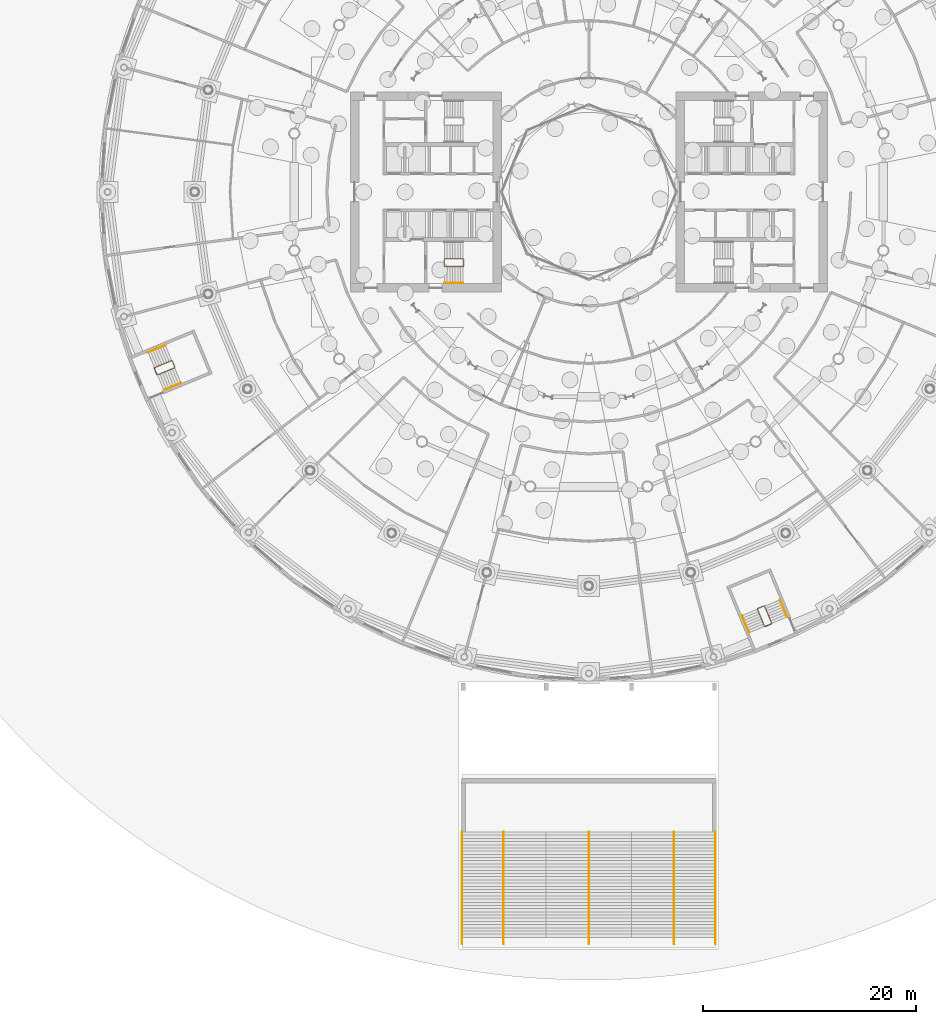
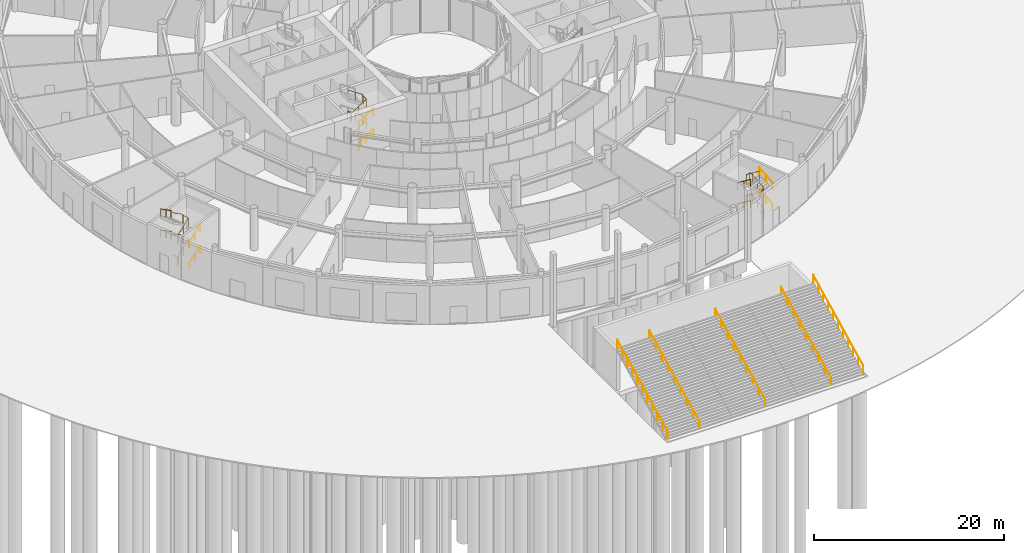
# One storey, part 38 of 41: 18 railings.
"""IFC4 building model written with IfcOpenShell, lengths in metres."""

from ifc_helpers import new_model, si_unit, direction, frame, origin, origin_2d, place, context, subcontext, project, spatial, circle, extrude, material, type_object, element, save


model = new_model("IFC4")

# Units and contexts
model_context = context("Model", 3, precision=1e-05, world=origin(), true_north=direction((0.0, 1.0)))
body_context = subcontext(model_context, "Body", "Model", "MODEL_VIEW")
ifc_project = project(units=[si_unit("LENGTHUNIT", "METRE"), si_unit("AREAUNIT", "SQUARE_METRE"), si_unit("VOLUMEUNIT", "CUBIC_METRE"), si_unit("PLANEANGLEUNIT", "RADIAN"), si_unit("MASSUNIT", "GRAM", prefix="KILO")], contexts=[model_context])

# Site, building, storey
site_placement = place(None, origin())
site = spatial("IfcSite", under=ifc_project, at=site_placement, CompositionType="ELEMENT")
building_placement = place(site_placement, origin())
building = spatial("IfcBuilding", under=site, at=building_placement, Name="Maasbend Ring Residences", CompositionType="ELEMENT")
storey_placement = place(building_placement, origin())
storey = spatial("IfcBuildingStorey", under=building, at=storey_placement, Name="L00", CompositionType="ELEMENT", Elevation=0.0)

# Railings
ifc_material_1 = material(Name="Stainless steel 316", Category="steel")
railing_type_1 = type_object("IfcRailingType", Name="RL-HAND", PredefinedType="HANDRAIL", material=ifc_material_1)
for number, where, name in (
    (1, (0.0, -70.60009765625, 0.14990234375), "Stair handrail"),
    (2, (-8.0, -70.60009765625, 0.14990234375), "Stair handrail"),
    (3, (8.0, -70.60009765625, 0.14990234375), "Stair handrail"),
):
    element("IfcRailing", number, at=place(storey_placement, frame(where)), inside=storey, type_object=railing_type_1, Name=name, PredefinedType="HANDRAIL", context=body_context, shape_type="SweptSolid", body=[
        extrude(circle(Radius=0.0224609375, at=origin_2d()), frame((0.0, 0.0, 0.87744140625), z_axis=(0.0, 0.894427191, 0.4472135955), x_axis=(-1.0, 0.0, 0.0)), (0.0, 0.0, 1.0), 11.7392578125),
        extrude(circle(Radius=0.02001953125, at=origin_2d()), origin(), (0.0, 0.0, 1.0), 0.85498046875),
        extrude(circle(Radius=0.02001953125, at=origin_2d()), frame((0.0, 1.3125, 0.65625)), (0.0, 0.0, 1.0), 0.85498046875),
        extrude(circle(Radius=0.02001953125, at=origin_2d()), frame((0.0, 2.625, 1.3125)), (0.0, 0.0, 1.0), 0.85498046875),
        extrude(circle(Radius=0.02001953125, at=origin_2d()), frame((0.0, 3.9375, 1.96875)), (0.0, 0.0, 1.0), 0.85498046875),
        extrude(circle(Radius=0.02001953125, at=origin_2d()), frame((0.0, 5.25, 2.625)), (0.0, 0.0, 1.0), 0.85498046875),
        extrude(circle(Radius=0.02001953125, at=origin_2d()), frame((0.0, 6.5625, 3.28125)), (0.0, 0.0, 1.0), 0.85498046875),
        extrude(circle(Radius=0.02001953125, at=origin_2d()), frame((0.0, 7.875, 3.9375)), (0.0, 0.0, 1.0), 0.85498046875),
        extrude(circle(Radius=0.02001953125, at=origin_2d()), frame((0.0, 9.1875, 4.59375)), (0.0, 0.0, 1.0), 0.85498046875),
        extrude(circle(Radius=0.02001953125, at=origin_2d()), frame((0.0, 10.5, 5.25)), (0.0, 0.0, 1.0), 0.85498046875),
    ])
ifc_material_2 = material(Name="Stainless steel 316 and glass", Category="steel")
railing_type_2 = type_object("IfcRailingType", Name="RL-STAIR", PredefinedType="GUARDRAIL", material=ifc_material_2)
for number, where, name in (
    (4, (-11.89990234375, -70.60009765625, 0.14990234375), "Stair guard"),
    (5, (11.89990234375, -70.60009765625, 0.14990234375), "Stair guard"),
):
    element("IfcRailing", number, at=place(storey_placement, frame(where)), inside=storey, type_object=railing_type_2, Name=name, PredefinedType="GUARDRAIL", context=body_context, shape_type="SweptSolid", body=[
        extrude(circle(Radius=0.02490234375, at=origin_2d()), frame((0.0, 0.0, 1.0751953125), z_axis=(0.0, 0.894427191, 0.4472135955), x_axis=(-1.0, 0.0, 0.0)), (0.0, 0.0, 1.0), 11.7392578125),
        extrude(circle(Radius=0.02001953125, at=origin_2d()), origin(), (0.0, 0.0, 1.0), 1.050048828125),
        extrude(circle(Radius=0.02001953125, at=origin_2d()), frame((0.0, 1.050048828125, 0.52490234375)), (0.0, 0.0, 1.0), 1.050048828125),
        extrude(circle(Radius=0.02001953125, at=origin_2d()), frame((0.0, 2.10009765625, 1.050048828125)), (0.0, 0.0, 1.0), 1.050048828125),
        extrude(circle(Radius=0.02001953125, at=origin_2d()), frame((0.0, 3.14990234375, 1.574951171875)), (0.0, 0.0, 1.0), 1.050048828125),
        extrude(circle(Radius=0.02001953125, at=origin_2d()), frame((0.0, 4.199951171875, 2.10009765625)), (0.0, 0.0, 1.0), 1.050048828125),
        extrude(circle(Radius=0.02001953125, at=origin_2d()), frame((0.0, 5.25, 2.625)), (0.0, 0.0, 1.0), 1.050048828125),
        extrude(circle(Radius=0.02001953125, at=origin_2d()), frame((0.0, 6.300048828125, 3.14990234375)), (0.0, 0.0, 1.0), 1.050048828125),
        extrude(circle(Radius=0.02001953125, at=origin_2d()), frame((0.0, 7.35009765625, 3.675048828125)), (0.0, 0.0, 1.0), 1.050048828125),
        extrude(circle(Radius=0.02001953125, at=origin_2d()), frame((0.0, 8.39990234375, 4.199951171875)), (0.0, 0.0, 1.0), 1.050048828125),
        extrude(circle(Radius=0.02001953125, at=origin_2d()), frame((0.0, 9.449951171875, 4.72509765625)), (0.0, 0.0, 1.0), 1.050048828125),
        extrude(circle(Radius=0.02001953125, at=origin_2d()), frame((0.0, 10.5, 5.25)), (0.0, 0.0, 1.0), 1.050048828125),
    ])
ifc_material_3 = material(Name="Stainless steel 316", Category="steel")
railing_type_3 = type_object("IfcRailingType", Name="STAIR GUARD 1100", PredefinedType="GUARDRAIL", material=ifc_material_3)
railing_1_placement = place(storey_placement, frame((-13.60009765625, -6.300048828125, 0.0)))
element("IfcRailing", 6, at=railing_1_placement, inside=storey, type_object=railing_type_3, Name="L00 ST-W1 stair guard 1", PredefinedType="GUARDRAIL", context=body_context, shape_type="SweptSolid", body=[
    extrude(circle(Radius=0.02392578125, at=origin_2d()), frame((0.0, 0.0, 1.076171875), z_axis=(0.0, -1.0, 0.0), x_axis=(1.0, 0.0, 0.0)), (0.0, 0.0, 1.0), 0.64990234375),
    extrude(circle(Radius=0.02392578125, at=origin_2d()), frame((0.0, -0.64990234375, 1.076171875), z_axis=(0.273569069059, -0.273569069059, 0.922127935218), x_axis=(0.707106781187, 0.707106781187, 0.0)), (0.0, 0.0, 1.0), 0.182861328125),
    extrude(circle(Radius=0.02392578125, at=origin_2d()), frame((0.050048828125, -0.699951171875, 1.24462890625), z_axis=(0.828816501605, 0.0, 0.559520514965), x_axis=(0.0, 1.0, 0.0)), (0.0, 0.0, 1.0), 2.111328125),
    extrude(circle(Radius=0.02392578125, at=origin_2d()), frame((1.800048828125, -0.699951171875, 2.42626953125), z_axis=(0.707106781187, 0.707106781187, 0.0), x_axis=(-0.707106781187, 0.707106781187, 0.0)), (0.0, 0.0, 1.0), 0.07080078125),
    extrude(circle(Radius=0.02392578125, at=origin_2d()), frame((1.85009765625, -0.64990234375, 2.42626953125), z_axis=(0.0, 1.0, 0.0), x_axis=(-1.0, 0.0, 0.0)), (0.0, 0.0, 1.0), 0.64990234375),
    extrude(circle(Radius=0.02392578125, at=origin_2d()), frame((1.85009765625, 0.0, 2.42626953125), z_axis=(-0.273569069059, 0.273569069059, 0.922127935218), x_axis=(-0.707106781187, -0.707106781187, 0.0)), (0.0, 0.0, 1.0), 0.182861328125),
    extrude(circle(Radius=0.02392578125, at=origin_2d()), frame((1.800048828125, 0.050048828125, 2.5947265625), z_axis=(-0.828870122254, 0.0, 0.559441078608), x_axis=(0.0, -1.0, 0.0)), (0.0, 0.0, 1.0), 2.111328125),
    extrude(circle(Radius=0.02392578125, at=origin_2d()), frame((0.050048828125, 0.050048828125, 3.77587890625), z_axis=(-0.071321223157, -0.997453398975, 0.0), x_axis=(0.997453398975, -0.071321223157, 0.0)), (0.0, 0.0, 1.0), 0.70166015625),
    extrude(circle(Radius=0.02392578125, at=origin_2d()), frame((0.0, -0.64990234375, 3.77587890625), z_axis=(0.0, 1.0, 0.0), x_axis=(-1.0, 0.0, 0.0)), (0.0, 0.0, 1.0), 0.64990234375),
    extrude(circle(Radius=0.02392578125, at=origin_2d()), frame((0.0, 0.0, 3.77587890625), z_axis=(0.069345477993, -0.969821880032, 0.233745001431), x_axis=(0.997453398975, 0.071321223157, 0.0)), (0.0, 0.0, 1.0), 0.7216796875),
    extrude(circle(Radius=0.02392578125, at=origin_2d()), frame((0.050048828125, -0.699951171875, 3.94482421875), z_axis=(0.828816501605, 0.0, 0.559520514965), x_axis=(0.0, 1.0, 0.0)), (0.0, 0.0, 1.0), 2.111328125),
    extrude(circle(Radius=0.02392578125, at=origin_2d()), frame((1.800048828125, -0.699951171875, 5.1259765625), z_axis=(0.707106781187, 0.707106781187, 0.0), x_axis=(-0.707106781187, 0.707106781187, 0.0)), (0.0, 0.0, 1.0), 0.07080078125),
    extrude(circle(Radius=0.02392578125, at=origin_2d()), frame((1.85009765625, -0.64990234375, 5.1259765625), z_axis=(0.0, 1.0, 0.0), x_axis=(-1.0, 0.0, 0.0)), (0.0, 0.0, 1.0), 0.64990234375),
    extrude(circle(Radius=0.02392578125, at=origin_2d()), frame((1.85009765625, 0.0, 5.1259765625), z_axis=(-0.273569069059, 0.273569069059, 0.922127935218), x_axis=(-0.707106781187, -0.707106781187, 0.0)), (0.0, 0.0, 1.0), 0.182861328125),
    extrude(circle(Radius=0.02392578125, at=origin_2d()), frame((1.800048828125, 0.050048828125, 5.294921875), z_axis=(-0.828870122254, 0.0, 0.559441078608), x_axis=(0.0, -1.0, 0.0)), (0.0, 0.0, 1.0), 2.111328125),
    extrude(circle(Radius=0.02099609375, at=origin_2d()), origin(), (0.0, 0.0, 1.0), 1.052001953125),
    extrude(circle(Radius=0.02099609375, at=origin_2d()), frame((0.0, -0.64990234375, 0.0)), (0.0, 0.0, 1.0), 1.052001953125),
    extrude(circle(Radius=0.02099609375, at=origin_2d()), frame((0.050048828125, -0.699951171875, 0.168701171875)), (0.0, 0.0, 1.0), 1.052001953125),
    extrude(circle(Radius=0.02099609375, at=origin_2d()), frame((0.925048828125, -0.699951171875, 0.75927734375)), (0.0, 0.0, 1.0), 1.052001953125),
    extrude(circle(Radius=0.02099609375, at=origin_2d()), frame((1.800048828125, -0.699951171875, 1.35009765625)), (0.0, 0.0, 1.0), 1.052001953125),
    extrude(circle(Radius=0.02099609375, at=origin_2d()), frame((1.85009765625, -0.64990234375, 1.35009765625)), (0.0, 0.0, 1.0), 1.052001953125),
    extrude(circle(Radius=0.02099609375, at=origin_2d()), frame((1.85009765625, 0.0, 1.35009765625)), (0.0, 0.0, 1.0), 1.052001953125),
    extrude(circle(Radius=0.02099609375, at=origin_2d()), frame((1.800048828125, 0.050048828125, 1.518798828125)), (0.0, 0.0, 1.0), 1.052001953125),
    extrude(circle(Radius=0.02099609375, at=origin_2d()), frame((0.925048828125, 0.050048828125, 2.109375)), (0.0, 0.0, 1.0), 1.052001953125),
    extrude(circle(Radius=0.02099609375, at=origin_2d()), frame((0.050048828125, 0.050048828125, 2.699951171875)), (0.0, 0.0, 1.0), 1.052001953125),
    extrude(circle(Radius=0.02099609375, at=origin_2d()), frame((0.0, -0.64990234375, 2.699951171875)), (0.0, 0.0, 1.0), 1.052001953125),
    extrude(circle(Radius=0.02099609375, at=origin_2d()), frame((0.0, 0.0, 2.699951171875)), (0.0, 0.0, 1.0), 1.052001953125),
    extrude(circle(Radius=0.02099609375, at=origin_2d()), frame((0.050048828125, -0.699951171875, 2.86865234375)), (0.0, 0.0, 1.0), 1.052001953125),
    extrude(circle(Radius=0.02099609375, at=origin_2d()), frame((0.925048828125, -0.699951171875, 3.45947265625)), (0.0, 0.0, 1.0), 1.052001953125),
    extrude(circle(Radius=0.02099609375, at=origin_2d()), frame((1.800048828125, -0.699951171875, 4.050048828125)), (0.0, 0.0, 1.0), 1.052001953125),
    extrude(circle(Radius=0.02099609375, at=origin_2d()), frame((1.85009765625, -0.64990234375, 4.050048828125)), (0.0, 0.0, 1.0), 1.052001953125),
    extrude(circle(Radius=0.02099609375, at=origin_2d()), frame((1.85009765625, 0.0, 4.050048828125)), (0.0, 0.0, 1.0), 1.052001953125),
    extrude(circle(Radius=0.02099609375, at=origin_2d()), frame((1.800048828125, 0.050048828125, 4.21875)), (0.0, 0.0, 1.0), 1.052001953125),
    extrude(circle(Radius=0.02099609375, at=origin_2d()), frame((0.925048828125, 0.050048828125, 4.809326171875)), (0.0, 0.0, 1.0), 1.052001953125),
    extrude(circle(Radius=0.02099609375, at=origin_2d()), frame((0.050048828125, 0.050048828125, 5.39990234375)), (0.0, 0.0, 1.0), 1.052001953125),
])
railing_2_placement = place(storey_placement, frame((16.556884765625, -40.8212890625, 0.0)))
element("IfcRailing", 7, at=railing_2_placement, inside=storey, type_object=railing_type_3, Name="L00 ST-P2 stair guard 1", PredefinedType="GUARDRAIL", context=body_context, shape_type="SweptSolid", body=[
    extrude(circle(Radius=0.02392578125, at=origin_2d()), frame((0.0, 0.0, 1.076171875), z_axis=(0.923874933397, 0.382694535419, 0.0), x_axis=(-0.382694535419, 0.923874933397, 0.0)), (0.0, 0.0, 1.0), 0.650146484375),
    extrude(circle(Radius=0.02392578125, at=origin_2d()), frame((0.6005859375, 0.248779296875, 1.076171875), z_axis=(0.148115113719, 0.357611265555, 0.922049942159), x_axis=(-0.923890787601, 0.382656259044, 0.0)), (0.0, 0.0, 1.0), 0.182861328125),
    extrude(circle(Radius=0.02392578125, at=origin_2d()), frame((0.627685546875, 0.314208984375, 1.24462890625), z_axis=(-0.317176908296, 0.765711077921, 0.559540305959), x_axis=(-0.923875695366, -0.382692695921, 0.0)), (0.0, 0.0, 1.0), 2.111328125),
    extrude(circle(Radius=0.02392578125, at=origin_2d()), frame((-0.0419921875, 1.930908203125, 2.42626953125), z_axis=(-0.923890787601, 0.382656259044, 0.0), x_axis=(-0.382656259044, -0.923890787601, 0.0)), (0.0, 0.0, 1.0), 0.07080078125),
    extrude(circle(Radius=0.02392578125, at=origin_2d()), frame((-0.107421875, 1.9580078125, 2.42626953125), z_axis=(-0.923874933397, -0.382694535419, 0.0), x_axis=(0.382694535419, -0.923874933397, 0.0)), (0.0, 0.0, 1.0), 0.650146484375),
    extrude(circle(Radius=0.02392578125, at=origin_2d()), frame((-0.7080078125, 1.709228515625, 2.42626953125), z_axis=(-0.146809630984, -0.357681646397, 0.922231409181), x_axis=(0.925106444757, -0.379707869117, 0.0)), (0.0, 0.0, 1.0), 0.182861328125),
    extrude(circle(Radius=0.02392578125, at=origin_2d()), frame((-0.73486328125, 1.643798828125, 2.5947265625), z_axis=(0.317197429648, -0.765760619441, 0.559460869353), x_axis=(0.923875695366, 0.382692695921, 0.0)), (0.0, 0.0, 1.0), 2.111328125),
    extrude(circle(Radius=0.02392578125, at=origin_2d()), frame((-0.065185546875, 0.027099609375, 3.77587890625), z_axis=(0.948787623449, 0.315914617562, 0.0), x_axis=(-0.315914617562, 0.948787623449, 0.0)), (0.0, 0.0, 1.0), 0.70166015625),
    extrude(circle(Radius=0.02392578125, at=origin_2d()), frame((0.6005859375, 0.248779296875, 3.77587890625), z_axis=(-0.923874933397, -0.382694535419, 0.0), x_axis=(0.382694535419, -0.923874933397, 0.0)), (0.0, 0.0, 1.0), 0.650146484375),
    extrude(circle(Radius=0.02392578125, at=origin_2d()), frame((0.0, 0.0, 3.77587890625), z_axis=(0.869460204694, 0.435237372012, 0.233682225377), x_axis=(-0.447630918295, 0.894218407877, 0.0)), (0.0, 0.0, 1.0), 0.721923828125),
    extrude(circle(Radius=0.02392578125, at=origin_2d()), frame((0.627685546875, 0.314208984375, 3.94482421875), z_axis=(-0.317176908296, 0.765711077921, 0.559540305959), x_axis=(-0.923875695366, -0.382692695921, 0.0)), (0.0, 0.0, 1.0), 2.111328125),
    extrude(circle(Radius=0.02392578125, at=origin_2d()), frame((-0.0419921875, 1.930908203125, 5.1259765625), z_axis=(-0.923890787601, 0.382656259044, 0.0), x_axis=(-0.382656259044, -0.923890787601, 0.0)), (0.0, 0.0, 1.0), 0.07080078125),
    extrude(circle(Radius=0.02392578125, at=origin_2d()), frame((-0.107421875, 1.9580078125, 5.1259765625), z_axis=(-0.923874933397, -0.382694535419, 0.0), x_axis=(0.382694535419, -0.923874933397, 0.0)), (0.0, 0.0, 1.0), 0.650146484375),
    extrude(circle(Radius=0.02392578125, at=origin_2d()), frame((-0.7080078125, 1.709228515625, 5.1259765625), z_axis=(-0.146809630984, -0.357681646397, 0.922231409181), x_axis=(0.925106444757, -0.379707869117, 0.0)), (0.0, 0.0, 1.0), 0.182861328125),
    extrude(circle(Radius=0.02392578125, at=origin_2d()), frame((-0.73486328125, 1.643798828125, 5.294921875), z_axis=(0.317197429648, -0.765760619441, 0.559460869353), x_axis=(0.923875695366, 0.382692695921, 0.0)), (0.0, 0.0, 1.0), 2.111328125),
    extrude(circle(Radius=0.02099609375, at=origin_2d()), origin(), (0.0, 0.0, 1.0), 1.052001953125),
    extrude(circle(Radius=0.02099609375, at=origin_2d()), frame((0.6005859375, 0.248779296875, 0.0)), (0.0, 0.0, 1.0), 1.052001953125),
    extrude(circle(Radius=0.02099609375, at=origin_2d()), frame((0.627685546875, 0.314208984375, 0.168701171875)), (0.0, 0.0, 1.0), 1.052001953125),
    extrude(circle(Radius=0.02099609375, at=origin_2d()), frame((0.29296875, 1.12255859375, 0.75927734375)), (0.0, 0.0, 1.0), 1.052001953125),
    extrude(circle(Radius=0.02099609375, at=origin_2d()), frame((-0.0419921875, 1.930908203125, 1.35009765625)), (0.0, 0.0, 1.0), 1.052001953125),
    extrude(circle(Radius=0.02099609375, at=origin_2d()), frame((-0.107421875, 1.9580078125, 1.35009765625)), (0.0, 0.0, 1.0), 1.052001953125),
    extrude(circle(Radius=0.02099609375, at=origin_2d()), frame((-0.7080078125, 1.709228515625, 1.35009765625)), (0.0, 0.0, 1.0), 1.052001953125),
    extrude(circle(Radius=0.02099609375, at=origin_2d()), frame((-0.73486328125, 1.643798828125, 1.518798828125)), (0.0, 0.0, 1.0), 1.052001953125),
    extrude(circle(Radius=0.02099609375, at=origin_2d()), frame((-0.39990234375, 0.83544921875, 2.109375)), (0.0, 0.0, 1.0), 1.052001953125),
    extrude(circle(Radius=0.02099609375, at=origin_2d()), frame((-0.065185546875, 0.027099609375, 2.699951171875)), (0.0, 0.0, 1.0), 1.052001953125),
    extrude(circle(Radius=0.02099609375, at=origin_2d()), frame((0.6005859375, 0.248779296875, 2.699951171875)), (0.0, 0.0, 1.0), 1.052001953125),
    extrude(circle(Radius=0.02099609375, at=origin_2d()), frame((0.0, 0.0, 2.699951171875)), (0.0, 0.0, 1.0), 1.052001953125),
    extrude(circle(Radius=0.02099609375, at=origin_2d()), frame((0.627685546875, 0.314208984375, 2.86865234375)), (0.0, 0.0, 1.0), 1.052001953125),
    extrude(circle(Radius=0.02099609375, at=origin_2d()), frame((0.29296875, 1.12255859375, 3.45947265625)), (0.0, 0.0, 1.0), 1.052001953125),
    extrude(circle(Radius=0.02099609375, at=origin_2d()), frame((-0.0419921875, 1.930908203125, 4.050048828125)), (0.0, 0.0, 1.0), 1.052001953125),
    extrude(circle(Radius=0.02099609375, at=origin_2d()), frame((-0.107421875, 1.9580078125, 4.050048828125)), (0.0, 0.0, 1.0), 1.052001953125),
    extrude(circle(Radius=0.02099609375, at=origin_2d()), frame((-0.7080078125, 1.709228515625, 4.050048828125)), (0.0, 0.0, 1.0), 1.052001953125),
    extrude(circle(Radius=0.02099609375, at=origin_2d()), frame((-0.73486328125, 1.643798828125, 4.21875)), (0.0, 0.0, 1.0), 1.052001953125),
    extrude(circle(Radius=0.02099609375, at=origin_2d()), frame((-0.39990234375, 0.83544921875, 4.809326171875)), (0.0, 0.0, 1.0), 1.052001953125),
    extrude(circle(Radius=0.02099609375, at=origin_2d()), frame((-0.065185546875, 0.027099609375, 5.39990234375)), (0.0, 0.0, 1.0), 1.052001953125),
])
railing_3_placement = place(storey_placement, frame((-40.8212890625, -16.556884765625, 0.0)))
element("IfcRailing", 8, at=railing_3_placement, inside=storey, type_object=railing_type_3, Name="L00 ST-P6 stair guard 1", PredefinedType="GUARDRAIL", context=body_context, shape_type="SweptSolid", body=[
    extrude(circle(Radius=0.02392578125, at=origin_2d()), frame((0.0, 0.0, 1.076171875), z_axis=(0.382694535419, -0.923874933397, 0.0), x_axis=(0.923874933397, 0.382694535419, 0.0)), (0.0, 0.0, 1.0), 0.650146484375),
    extrude(circle(Radius=0.02392578125, at=origin_2d()), frame((0.248779296875, -0.6005859375, 1.076171875), z_axis=(0.357611265555, -0.148115113719, 0.922049942159), x_axis=(0.382656259044, 0.923890787601, 0.0)), (0.0, 0.0, 1.0), 0.182861328125),
    extrude(circle(Radius=0.02392578125, at=origin_2d()), frame((0.314208984375, -0.627685546875, 1.24462890625), z_axis=(0.765711077921, 0.317176908296, 0.559540305959), x_axis=(-0.382692695921, 0.923875695366, 0.0)), (0.0, 0.0, 1.0), 2.111328125),
    extrude(circle(Radius=0.02392578125, at=origin_2d()), frame((1.930908203125, 0.0419921875, 2.42626953125), z_axis=(0.382656259044, 0.923890787601, 0.0), x_axis=(-0.923890787601, 0.382656259044, 0.0)), (0.0, 0.0, 1.0), 0.07080078125),
    extrude(circle(Radius=0.02392578125, at=origin_2d()), frame((1.9580078125, 0.107421875, 2.42626953125), z_axis=(-0.382694535419, 0.923874933397, 0.0), x_axis=(-0.923874933397, -0.382694535419, 0.0)), (0.0, 0.0, 1.0), 0.650146484375),
    extrude(circle(Radius=0.02392578125, at=origin_2d()), frame((1.709228515625, 0.7080078125, 2.42626953125), z_axis=(-0.357681646397, 0.146809630984, 0.922231409181), x_axis=(-0.379707869117, -0.925106444757, 0.0)), (0.0, 0.0, 1.0), 0.182861328125),
    extrude(circle(Radius=0.02392578125, at=origin_2d()), frame((1.643798828125, 0.73486328125, 2.5947265625), z_axis=(-0.765760619441, -0.317197429648, 0.559460869353), x_axis=(0.382692695921, -0.923875695366, 0.0)), (0.0, 0.0, 1.0), 2.111328125),
    extrude(circle(Radius=0.02392578125, at=origin_2d()), frame((0.027099609375, 0.065185546875, 3.77587890625), z_axis=(0.315914617562, -0.948787623449, 0.0), x_axis=(0.948787623449, 0.315914617562, 0.0)), (0.0, 0.0, 1.0), 0.70166015625),
    extrude(circle(Radius=0.02392578125, at=origin_2d()), frame((0.248779296875, -0.6005859375, 3.77587890625), z_axis=(-0.382694535419, 0.923874933397, 0.0), x_axis=(-0.923874933397, -0.382694535419, 0.0)), (0.0, 0.0, 1.0), 0.650146484375),
    extrude(circle(Radius=0.02392578125, at=origin_2d()), frame((0.0, 0.0, 3.77587890625), z_axis=(0.435237372012, -0.869460204694, 0.233682225377), x_axis=(0.894218407877, 0.447630918295, 0.0)), (0.0, 0.0, 1.0), 0.721923828125),
    extrude(circle(Radius=0.02392578125, at=origin_2d()), frame((0.314208984375, -0.627685546875, 3.94482421875), z_axis=(0.765711077921, 0.317176908296, 0.559540305959), x_axis=(-0.382692695921, 0.923875695366, 0.0)), (0.0, 0.0, 1.0), 2.111328125),
    extrude(circle(Radius=0.02392578125, at=origin_2d()), frame((1.930908203125, 0.0419921875, 5.1259765625), z_axis=(0.382656259044, 0.923890787601, 0.0), x_axis=(-0.923890787601, 0.382656259044, 0.0)), (0.0, 0.0, 1.0), 0.07080078125),
    extrude(circle(Radius=0.02392578125, at=origin_2d()), frame((1.9580078125, 0.107421875, 5.1259765625), z_axis=(-0.382694535419, 0.923874933397, 0.0), x_axis=(-0.923874933397, -0.382694535419, 0.0)), (0.0, 0.0, 1.0), 0.650146484375),
    extrude(circle(Radius=0.02392578125, at=origin_2d()), frame((1.709228515625, 0.7080078125, 5.1259765625), z_axis=(-0.357681646397, 0.146809630984, 0.922231409181), x_axis=(-0.379707869117, -0.925106444757, 0.0)), (0.0, 0.0, 1.0), 0.182861328125),
    extrude(circle(Radius=0.02392578125, at=origin_2d()), frame((1.643798828125, 0.73486328125, 5.294921875), z_axis=(-0.765760619441, -0.317197429648, 0.559460869353), x_axis=(0.382692695921, -0.923875695366, 0.0)), (0.0, 0.0, 1.0), 2.111328125),
    extrude(circle(Radius=0.02099609375, at=origin_2d()), origin(), (0.0, 0.0, 1.0), 1.052001953125),
    extrude(circle(Radius=0.02099609375, at=origin_2d()), frame((0.248779296875, -0.6005859375, 0.0)), (0.0, 0.0, 1.0), 1.052001953125),
    extrude(circle(Radius=0.02099609375, at=origin_2d()), frame((0.314208984375, -0.627685546875, 0.168701171875)), (0.0, 0.0, 1.0), 1.052001953125),
    extrude(circle(Radius=0.02099609375, at=origin_2d()), frame((1.12255859375, -0.29296875, 0.75927734375)), (0.0, 0.0, 1.0), 1.052001953125),
    extrude(circle(Radius=0.02099609375, at=origin_2d()), frame((1.930908203125, 0.0419921875, 1.35009765625)), (0.0, 0.0, 1.0), 1.052001953125),
    extrude(circle(Radius=0.02099609375, at=origin_2d()), frame((1.9580078125, 0.107421875, 1.35009765625)), (0.0, 0.0, 1.0), 1.052001953125),
    extrude(circle(Radius=0.02099609375, at=origin_2d()), frame((1.709228515625, 0.7080078125, 1.35009765625)), (0.0, 0.0, 1.0), 1.052001953125),
    extrude(circle(Radius=0.02099609375, at=origin_2d()), frame((1.643798828125, 0.73486328125, 1.518798828125)), (0.0, 0.0, 1.0), 1.052001953125),
    extrude(circle(Radius=0.02099609375, at=origin_2d()), frame((0.83544921875, 0.39990234375, 2.109375)), (0.0, 0.0, 1.0), 1.052001953125),
    extrude(circle(Radius=0.02099609375, at=origin_2d()), frame((0.027099609375, 0.065185546875, 2.699951171875)), (0.0, 0.0, 1.0), 1.052001953125),
    extrude(circle(Radius=0.02099609375, at=origin_2d()), frame((0.248779296875, -0.6005859375, 2.699951171875)), (0.0, 0.0, 1.0), 1.052001953125),
    extrude(circle(Radius=0.02099609375, at=origin_2d()), frame((0.0, 0.0, 2.699951171875)), (0.0, 0.0, 1.0), 1.052001953125),
    extrude(circle(Radius=0.02099609375, at=origin_2d()), frame((0.314208984375, -0.627685546875, 2.86865234375)), (0.0, 0.0, 1.0), 1.052001953125),
    extrude(circle(Radius=0.02099609375, at=origin_2d()), frame((1.12255859375, -0.29296875, 3.45947265625)), (0.0, 0.0, 1.0), 1.052001953125),
    extrude(circle(Radius=0.02099609375, at=origin_2d()), frame((1.930908203125, 0.0419921875, 4.050048828125)), (0.0, 0.0, 1.0), 1.052001953125),
    extrude(circle(Radius=0.02099609375, at=origin_2d()), frame((1.9580078125, 0.107421875, 4.050048828125)), (0.0, 0.0, 1.0), 1.052001953125),
    extrude(circle(Radius=0.02099609375, at=origin_2d()), frame((1.709228515625, 0.7080078125, 4.050048828125)), (0.0, 0.0, 1.0), 1.052001953125),
    extrude(circle(Radius=0.02099609375, at=origin_2d()), frame((1.643798828125, 0.73486328125, 4.21875)), (0.0, 0.0, 1.0), 1.052001953125),
    extrude(circle(Radius=0.02099609375, at=origin_2d()), frame((0.83544921875, 0.39990234375, 4.809326171875)), (0.0, 0.0, 1.0), 1.052001953125),
    extrude(circle(Radius=0.02099609375, at=origin_2d()), frame((0.027099609375, 0.065185546875, 5.39990234375)), (0.0, 0.0, 1.0), 1.052001953125),
])
ifc_material_4 = material(Name="Stainless steel 316", Category="steel")
railing_type_4 = type_object("IfcRailingType", Name="STAIR HANDRAIL 900", PredefinedType="HANDRAIL", material=ifc_material_4)
for number, where, name in (
    (9, (-13.550048828125, -8.550048828125, 0.168701171875), "L00 ST-W1 stair handrail 1"),
    (10, (-13.550048828125, -8.550048828125, 2.86865234375), "L00 ST-W1 stair handrail 3"),
):
    element("IfcRailing", number, at=place(storey_placement, frame(where)), inside=storey, type_object=railing_type_4, Name=name, PredefinedType="HANDRAIL", context=body_context, shape_type="SweptSolid", body=[
        extrude(circle(Radius=0.02392578125, at=origin_2d()), frame((0.0, 0.0, 0.8759765625), z_axis=(0.828816501605, 0.0, 0.559520514965), x_axis=(0.0, 1.0, 0.0)), (0.0, 0.0, 1.0), 2.111328125),
        extrude(circle(Radius=0.02099609375, at=origin_2d()), origin(), (0.0, 0.0, 1.0), 0.851806640625),
        extrude(circle(Radius=0.02099609375, at=origin_2d()), frame((0.875, 0.0, 0.5908203125)), (0.0, 0.0, 1.0), 0.851806640625),
        extrude(circle(Radius=0.02099609375, at=origin_2d()), frame((1.75, 0.0, 1.181396484375)), (0.0, 0.0, 1.0), 0.851806640625),
    ])
railing_4_placement = place(storey_placement, frame((18.616455078125, -39.9140625, 0.168701171875)))
element("IfcRailing", 11, at=railing_4_placement, inside=storey, type_object=railing_type_4, Name="L00 ST-P2 stair handrail 1", PredefinedType="HANDRAIL", context=body_context, shape_type="SweptSolid", body=[
    extrude(circle(Radius=0.02392578125, at=origin_2d()), frame((0.0, 0.0, 0.8759765625), z_axis=(-0.317176908296, 0.765711077921, 0.559540305959), x_axis=(-0.923875695366, -0.382692695921, 0.0)), (0.0, 0.0, 1.0), 2.111328125),
    extrude(circle(Radius=0.02099609375, at=origin_2d()), origin(), (0.0, 0.0, 1.0), 0.851806640625),
    extrude(circle(Radius=0.02099609375, at=origin_2d()), frame((-0.3349609375, 0.808349609375, 0.5908203125)), (0.0, 0.0, 1.0), 0.851806640625),
    extrude(circle(Radius=0.02099609375, at=origin_2d()), frame((-0.669677734375, 1.61669921875, 1.181396484375)), (0.0, 0.0, 1.0), 0.851806640625),
])
railing_5_placement = place(storey_placement, frame((14.389892578125, -39.7705078125, 1.518798828125)))
element("IfcRailing", 12, at=railing_5_placement, inside=storey, type_object=railing_type_4, Name="L00 ST-P2 stair handrail 2", PredefinedType="HANDRAIL", context=body_context, shape_type="SweptSolid", body=[
    extrude(circle(Radius=0.02392578125, at=origin_2d()), frame((0.0, 0.0, 0.8759765625), z_axis=(0.317169342888, -0.765808442561, 0.559411330985), x_axis=(0.923896124067, 0.382643374349, 0.0)), (0.0, 0.0, 1.0), 2.111328125),
    extrude(circle(Radius=0.02099609375, at=origin_2d()), origin(), (0.0, 0.0, 1.0), 0.851806640625),
    extrude(circle(Radius=0.02099609375, at=origin_2d()), frame((0.3349609375, -0.80859375, 0.590576171875)), (0.0, 0.0, 1.0), 0.851806640625),
    extrude(circle(Radius=0.02099609375, at=origin_2d()), frame((0.669677734375, -1.616943359375, 1.18115234375)), (0.0, 0.0, 1.0), 0.851806640625),
])
railing_6_placement = place(storey_placement, frame((18.616455078125, -39.9140625, 2.86865234375)))
element("IfcRailing", 13, at=railing_6_placement, inside=storey, type_object=railing_type_4, Name="L00 ST-P2 stair handrail 3", PredefinedType="HANDRAIL", context=body_context, shape_type="SweptSolid", body=[
    extrude(circle(Radius=0.02392578125, at=origin_2d()), frame((0.0, 0.0, 0.8759765625), z_axis=(-0.317176908296, 0.765711077921, 0.559540305959), x_axis=(-0.923875695366, -0.382692695921, 0.0)), (0.0, 0.0, 1.0), 2.111328125),
    extrude(circle(Radius=0.02099609375, at=origin_2d()), origin(), (0.0, 0.0, 1.0), 0.851806640625),
    extrude(circle(Radius=0.02099609375, at=origin_2d()), frame((-0.3349609375, 0.808349609375, 0.5908203125)), (0.0, 0.0, 1.0), 0.851806640625),
    extrude(circle(Radius=0.02099609375, at=origin_2d()), frame((-0.669677734375, 1.61669921875, 1.181396484375)), (0.0, 0.0, 1.0), 0.851806640625),
])
railing_7_placement = place(storey_placement, frame((14.389892578125, -39.7705078125, 4.21875)))
element("IfcRailing", 14, at=railing_7_placement, inside=storey, type_object=railing_type_4, Name="L00 ST-P2 stair handrail 4", PredefinedType="HANDRAIL", context=body_context, shape_type="SweptSolid", body=[
    extrude(circle(Radius=0.02392578125, at=origin_2d()), frame((0.0, 0.0, 0.8759765625), z_axis=(0.317169342888, -0.765808442561, 0.559411330985), x_axis=(0.923896124067, 0.382643374349, 0.0)), (0.0, 0.0, 1.0), 2.111328125),
    extrude(circle(Radius=0.02099609375, at=origin_2d()), origin(), (0.0, 0.0, 1.0), 0.851806640625),
    extrude(circle(Radius=0.02099609375, at=origin_2d()), frame((0.3349609375, -0.80859375, 0.590576171875)), (0.0, 0.0, 1.0), 0.851806640625),
    extrude(circle(Radius=0.02099609375, at=origin_2d()), frame((0.669677734375, -1.616943359375, 1.18115234375)), (0.0, 0.0, 1.0), 0.851806640625),
])
railing_8_placement = place(storey_placement, frame((-39.9140625, -18.616455078125, 0.168701171875)))
element("IfcRailing", 15, at=railing_8_placement, inside=storey, type_object=railing_type_4, Name="L00 ST-P6 stair handrail 1", PredefinedType="HANDRAIL", context=body_context, shape_type="SweptSolid", body=[
    extrude(circle(Radius=0.02392578125, at=origin_2d()), frame((0.0, 0.0, 0.8759765625), z_axis=(0.765711077921, 0.317176908296, 0.559540305959), x_axis=(-0.382692695921, 0.923875695366, 0.0)), (0.0, 0.0, 1.0), 2.111328125),
    extrude(circle(Radius=0.02099609375, at=origin_2d()), origin(), (0.0, 0.0, 1.0), 0.851806640625),
    extrude(circle(Radius=0.02099609375, at=origin_2d()), frame((0.808349609375, 0.3349609375, 0.5908203125)), (0.0, 0.0, 1.0), 0.851806640625),
    extrude(circle(Radius=0.02099609375, at=origin_2d()), frame((1.61669921875, 0.669677734375, 1.181396484375)), (0.0, 0.0, 1.0), 0.851806640625),
])
railing_9_placement = place(storey_placement, frame((-39.7705078125, -14.389892578125, 1.518798828125)))
element("IfcRailing", 16, at=railing_9_placement, inside=storey, type_object=railing_type_4, Name="L00 ST-P6 stair handrail 2", PredefinedType="HANDRAIL", context=body_context, shape_type="SweptSolid", body=[
    extrude(circle(Radius=0.02392578125, at=origin_2d()), frame((0.0, 0.0, 0.8759765625), z_axis=(-0.765808442561, -0.317169342888, 0.559411330985), x_axis=(0.382643374349, -0.923896124067, 0.0)), (0.0, 0.0, 1.0), 2.111328125),
    extrude(circle(Radius=0.02099609375, at=origin_2d()), origin(), (0.0, 0.0, 1.0), 0.851806640625),
    extrude(circle(Radius=0.02099609375, at=origin_2d()), frame((-0.80859375, -0.3349609375, 0.590576171875)), (0.0, 0.0, 1.0), 0.851806640625),
    extrude(circle(Radius=0.02099609375, at=origin_2d()), frame((-1.616943359375, -0.669677734375, 1.18115234375)), (0.0, 0.0, 1.0), 0.851806640625),
])
railing_10_placement = place(storey_placement, frame((-39.9140625, -18.616455078125, 2.86865234375)))
element("IfcRailing", 17, at=railing_10_placement, inside=storey, type_object=railing_type_4, Name="L00 ST-P6 stair handrail 3", PredefinedType="HANDRAIL", context=body_context, shape_type="SweptSolid", body=[
    extrude(circle(Radius=0.02392578125, at=origin_2d()), frame((0.0, 0.0, 0.8759765625), z_axis=(0.765711077921, 0.317176908296, 0.559540305959), x_axis=(-0.382692695921, 0.923875695366, 0.0)), (0.0, 0.0, 1.0), 2.111328125),
    extrude(circle(Radius=0.02099609375, at=origin_2d()), origin(), (0.0, 0.0, 1.0), 0.851806640625),
    extrude(circle(Radius=0.02099609375, at=origin_2d()), frame((0.808349609375, 0.3349609375, 0.5908203125)), (0.0, 0.0, 1.0), 0.851806640625),
    extrude(circle(Radius=0.02099609375, at=origin_2d()), frame((1.61669921875, 0.669677734375, 1.181396484375)), (0.0, 0.0, 1.0), 0.851806640625),
])
railing_11_placement = place(storey_placement, frame((-39.7705078125, -14.389892578125, 4.21875)))
element("IfcRailing", 18, at=railing_11_placement, inside=storey, type_object=railing_type_4, Name="L00 ST-P6 stair handrail 4", PredefinedType="HANDRAIL", context=body_context, shape_type="SweptSolid", body=[
    extrude(circle(Radius=0.02392578125, at=origin_2d()), frame((0.0, 0.0, 0.8759765625), z_axis=(-0.765808442561, -0.317169342888, 0.559411330985), x_axis=(0.382643374349, -0.923896124067, 0.0)), (0.0, 0.0, 1.0), 2.111328125),
    extrude(circle(Radius=0.02099609375, at=origin_2d()), origin(), (0.0, 0.0, 1.0), 0.851806640625),
    extrude(circle(Radius=0.02099609375, at=origin_2d()), frame((-0.80859375, -0.3349609375, 0.590576171875)), (0.0, 0.0, 1.0), 0.851806640625),
    extrude(circle(Radius=0.02099609375, at=origin_2d()), frame((-1.616943359375, -0.669677734375, 1.18115234375)), (0.0, 0.0, 1.0), 0.851806640625),
])

save(model, "model.ifc")
